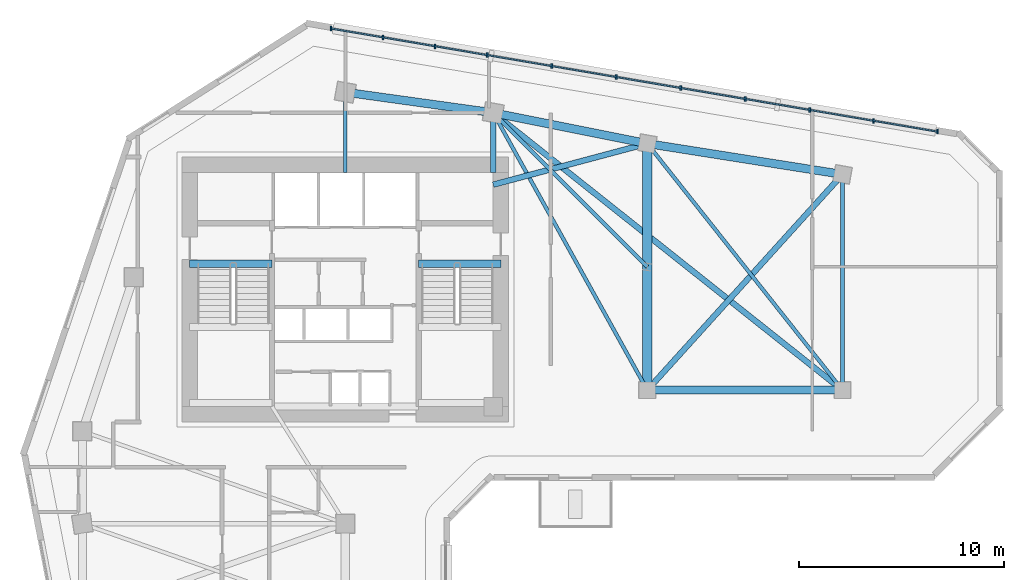
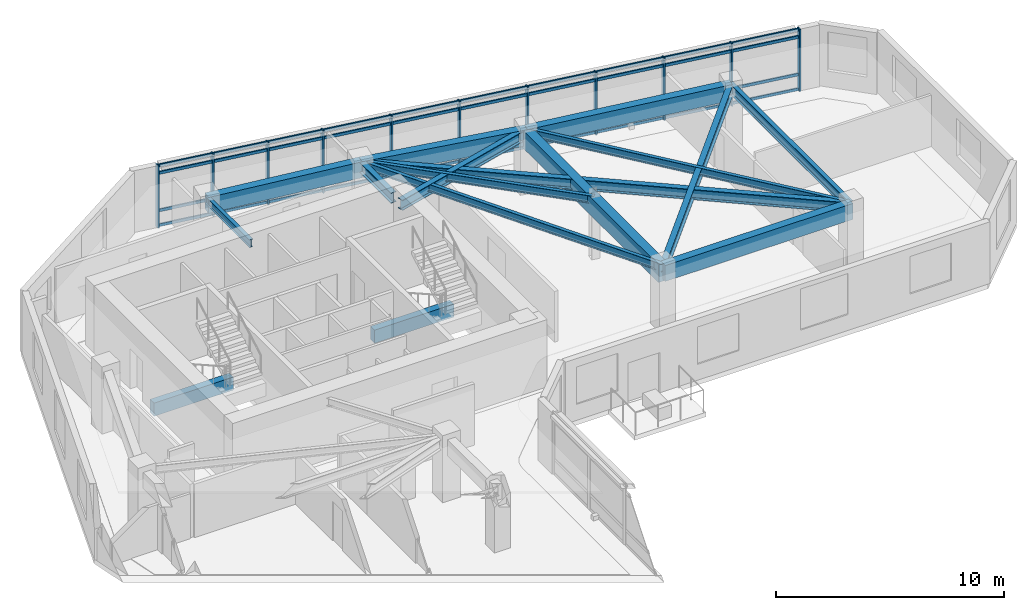
# One storey, part 3 of 12: 16 beams, 15 members, 1 element without a shape of its own.
"""IFC4 building model written with IfcOpenShell, lengths in metres."""

from ifc_helpers import new_model, si_unit, direction, frame, origin, origin_2d, place, context, subcontext, project, spatial, rectangle, i_section, extrude, source, transform, mapped, material, material_profile, profile_set, type_object, element, aggregate, save


model = new_model("IFC4")

# Units and contexts
model_context = context("Model", 3, precision=1e-05, world=origin(), true_north=direction((0.0, 1.0)))
body_context = subcontext(model_context, "Body", "Model", "MODEL_VIEW")
ifc_project = project(units=[si_unit("LENGTHUNIT", "METRE"), si_unit("AREAUNIT", "SQUARE_METRE"), si_unit("VOLUMEUNIT", "CUBIC_METRE"), si_unit("PLANEANGLEUNIT", "RADIAN"), si_unit("MASSUNIT", "GRAM", prefix="KILO")], contexts=[model_context])

# Site, building, storey
site_placement = place(None, origin())
site = spatial("IfcSite", under=ifc_project, at=site_placement, CompositionType="ELEMENT")
building_placement = place(site_placement, origin())
building = spatial("IfcBuilding", under=site, at=building_placement, Name="Calvemar Wedge Station Tower", CompositionType="ELEMENT")
storey_placement = place(building_placement, frame((0.0, 0.0, 135.800048828125)))
storey = spatial("IfcBuildingStorey", under=building, at=storey_placement, Name="L33", CompositionType="ELEMENT", Elevation=135.800048828125)

# Beams
ifc_material_1 = material(Name="Concrete C60", Category="concrete")
ifc_material_profile_1 = material_profile(ifc_material_1, rectangle(XDim=0.39990234375, YDim=0.85009765625, at=origin_2d()), Name="RC400x850")
ifc_profile_set_1 = profile_set([ifc_material_profile_1], Name="Concrete C60")
beam_type_1 = type_object("IfcBeamType", Name="BM-SP1-850", PredefinedType="SPANDREL", material=ifc_profile_set_1)
shared_shape_1 = source(origin(), body_context, "Body", "SweptSolid", [
    extrude(rectangle(XDim=0.39990234375, YDim=0.85009765625, at=origin_2d()), origin(), (0.0, 0.0, 1.0), 7.26904296875),
])
beam_1_placement = place(storey_placement, frame((23.800048828125, 49.5, 2.875), z_axis=(0.990492146053, -0.13756928657, 0.0), x_axis=(0.13756928657, 0.990492146053, 0.0)))
element("IfcBeam", 1, at=beam_1_placement, inside=storey, type_object=beam_type_1, Name="Storey L33 Spandrel T-N1-T-N2", PredefinedType="SPANDREL", context=body_context, shape_type="MappedRepresentation", body=[
    mapped(shared_shape_1, transform((0.0, 0.0, 0.0), scale=1.0)),
])
shared_shape_2 = source(origin(), body_context, "Body", "SweptSolid", [
    extrude(rectangle(XDim=0.39990234375, YDim=0.85009765625, at=origin_2d()), origin(), (0.0, 0.0, 1.0), 7.6484375),
])
beam_2_placement = place(storey_placement, frame((31.0, 48.5, 2.875), z_axis=(0.980580675691, -0.196116135138, 0.0), x_axis=(0.196116135138, 0.980580675691, 0.0)))
element("IfcBeam", 2, at=beam_2_placement, inside=storey, type_object=beam_type_1, Name="Storey L33 Spandrel T-N2-T-NU3", PredefinedType="SPANDREL", context=body_context, shape_type="MappedRepresentation", body=[
    mapped(shared_shape_2, transform((0.0, 0.0, 0.0), scale=1.0)),
])
shared_shape_3 = source(origin(), body_context, "Body", "SweptSolid", [
    extrude(rectangle(XDim=0.39990234375, YDim=0.85009765625, at=origin_2d()), origin(), (0.0, 0.0, 1.0), 9.61767578125),
])
beam_3_placement = place(storey_placement, frame((38.5, 47.0, 2.875), z_axis=(0.987762965329, -0.155962573473, 0.0), x_axis=(0.155962573473, 0.987762965329, 0.0)))
element("IfcBeam", 3, at=beam_3_placement, inside=storey, type_object=beam_type_1, Name="Storey L33 Spandrel T-NU3-T-NU4", PredefinedType="SPANDREL", context=body_context, shape_type="MappedRepresentation", body=[
    mapped(shared_shape_3, transform((0.0, 0.0, 0.0), scale=1.0)),
])
shared_shape_4 = source(origin(), body_context, "Body", "SweptSolid", [
    extrude(rectangle(XDim=0.39990234375, YDim=0.85009765625, at=origin_2d()), origin(), (0.0, 0.0, 1.0), 9.5),
])
beam_4_placement = place(storey_placement, frame((38.5, 35.0, 2.875), z_axis=(1.0, 0.0, 0.0), x_axis=(0.0, 1.0, 0.0)))
element("IfcBeam", 4, at=beam_4_placement, inside=storey, type_object=beam_type_1, Name="Storey L33 Spandrel T-NL2-T-NL3", PredefinedType="SPANDREL", context=body_context, shape_type="MappedRepresentation", body=[
    mapped(shared_shape_4, transform((0.0, 0.0, 0.0), scale=1.0)),
])
ifc_material_2 = material(Name="Structural steel ASTM A572 Grade 50", Category="steel")
ifc_material_profile_2 = material_profile(ifc_material_2, i_section(OverallWidth=0.177978515625, OverallDepth=0.406982421875, WebThickness=0.0078125, FlangeThickness=0.0126953125, FilletRadius=0.010009765625, at=origin_2d()), Name="W410x60")
ifc_profile_set_2 = profile_set([ifc_material_profile_2], Name="Structural steel ASTM A572 Grade 50")
beam_type_2 = type_object("IfcBeamType", Name="BM-J3-W410", PredefinedType="JOIST", material=ifc_profile_set_2)
shared_shape_5 = source(origin(), body_context, "Body", "SweptSolid", [
    extrude(i_section(OverallWidth=0.177978515625, OverallDepth=0.406982421875, WebThickness=0.0078125, FlangeThickness=0.0126953125, FilletRadius=0.010009765625, at=origin_2d()), origin(), (0.0, 0.0, 1.0), 15.443359375),
])
beam_5_placement = place(storey_placement, frame((31.0, 48.5, 3.096435546875), z_axis=(0.485642931179, -0.874157276122, 0.0), x_axis=(0.874157276122, 0.485642931179, 0.0)))
element("IfcBeam", 5, at=beam_5_placement, inside=storey, type_object=beam_type_2, Name="Storey L33 Floor Beam T-N2-T-NL2", PredefinedType="JOIST", context=body_context, shape_type="MappedRepresentation", body=[
    mapped(shared_shape_5, transform((0.0, 0.0, 0.0), scale=1.0)),
])
ifc_material_profile_3 = material_profile(ifc_material_2, i_section(OverallWidth=0.279052734375, OverallDepth=0.553955078125, WebThickness=0.017578125, FlangeThickness=0.029541015625, FilletRadius=0.014892578125, at=origin_2d()), Name="W530x196")
ifc_profile_set_3 = profile_set([ifc_material_profile_3], Name="Structural steel ASTM A572 Grade 50")
beam_type_3 = type_object("IfcBeamType", Name="BM-SB3-W530H", PredefinedType="BEAM", material=ifc_profile_set_3)
shared_shape_6 = source(origin(), body_context, "Body", "SweptSolid", [
    extrude(i_section(OverallWidth=0.279052734375, OverallDepth=0.553955078125, WebThickness=0.017578125, FlangeThickness=0.029541015625, FilletRadius=0.014892578125, at=origin_2d()), origin(), (0.0, 0.0, 1.0), 21.708251953125),
])
beam_6_placement = place(storey_placement, frame((31.0, 48.5, 3.02294921875), z_axis=(0.783110847498, -0.621882143602, 0.0), x_axis=(0.621882143602, 0.783110847498, 0.0)))
element("IfcBeam", 6, at=beam_6_placement, inside=storey, type_object=beam_type_3, Name="Storey L33 Floor Beam T-N2-T-NL3", PredefinedType="BEAM", context=body_context, shape_type="MappedRepresentation", body=[
    mapped(shared_shape_6, transform((0.0, 0.0, 0.0), scale=1.0)),
])
shared_shape_7 = source(origin(), body_context, "Body", "SweptSolid", [
    extrude(i_section(OverallWidth=0.177978515625, OverallDepth=0.406982421875, WebThickness=0.0078125, FlangeThickness=0.0126953125, FilletRadius=0.010009765625, at=origin_2d()), origin(), (0.0, 0.0, 1.0), 15.30517578125),
])
beam_7_placement = place(storey_placement, frame((38.5, 47.0, 3.096435546875), z_axis=(0.620702944366, -0.784045824462, 0.0), x_axis=(0.784045824462, 0.620702944366, 0.0)))
element("IfcBeam", 7, at=beam_7_placement, inside=storey, type_object=beam_type_2, Name="Storey L33 Floor Beam T-NU3-T-NL3", PredefinedType="JOIST", context=body_context, shape_type="MappedRepresentation", body=[
    mapped(shared_shape_7, transform((0.0, 0.0, 0.0), scale=1.0)),
])
shared_shape_8 = source(origin(), body_context, "Body", "SweptSolid", [
    extrude(i_section(OverallWidth=0.279052734375, OverallDepth=0.553955078125, WebThickness=0.017578125, FlangeThickness=0.029541015625, FilletRadius=0.014892578125, at=origin_2d()), origin(), (0.0, 0.0, 1.0), 14.159912109375),
])
beam_8_placement = place(storey_placement, frame((38.5, 35.0, 3.02294921875), z_axis=(0.670913323969, 0.741535779124, 0.0), x_axis=(-0.741535779124, 0.670913323969, 0.0)))
element("IfcBeam", 8, at=beam_8_placement, inside=storey, type_object=beam_type_3, Name="Storey L33 Floor Beam T-NL2-T-NU4", PredefinedType="BEAM", context=body_context, shape_type="MappedRepresentation", body=[
    mapped(shared_shape_8, transform((0.0, 0.0, 0.0), scale=1.0)),
])
shared_shape_9 = source(origin(), body_context, "Body", "SweptSolid", [
    extrude(i_section(OverallWidth=0.279052734375, OverallDepth=0.553955078125, WebThickness=0.017578125, FlangeThickness=0.029541015625, FilletRadius=0.014892578125, at=origin_2d()), origin(), (0.0, 0.0, 1.0), 7.76220703125),
])
beam_9_placement = place(storey_placement, frame((31.0, 45.0, 3.02294921875), z_axis=(0.966234939601, 0.25766265056, 0.0), x_axis=(-0.25766265056, 0.966234939601, 0.0)))
element("IfcBeam", 9, at=beam_9_placement, inside=storey, type_object=beam_type_3, Name="Storey L33 Core-to-Column Joist CJ-E2", PredefinedType="BEAM", context=body_context, shape_type="MappedRepresentation", body=[
    mapped(shared_shape_9, transform((0.0, 0.0, 0.0), scale=1.0)),
])
shared_shape_10 = source(origin(), body_context, "Body", "SweptSolid", [
    extrude(i_section(OverallWidth=0.177978515625, OverallDepth=0.406982421875, WebThickness=0.0078125, FlangeThickness=0.0126953125, FilletRadius=0.010009765625, at=origin_2d()), origin(), (0.0, 0.0, 1.0), 3.89990234375),
])
beam_10_placement = place(storey_placement, frame((23.800048828125, 45.60009765625, 3.096435546875), z_axis=(0.0, 1.0, 0.0), x_axis=(-1.0, 0.0, 0.0)))
element("IfcBeam", 10, at=beam_10_placement, inside=storey, type_object=beam_type_2, Name="Storey L33 Core-to-Column Joist CJ-N1", PredefinedType="JOIST", context=body_context, shape_type="MappedRepresentation", body=[
    mapped(shared_shape_10, transform((0.0, 0.0, 0.0), scale=1.0)),
])
shared_shape_11 = source(origin(), body_context, "Body", "SweptSolid", [
    extrude(i_section(OverallWidth=0.279052734375, OverallDepth=0.553955078125, WebThickness=0.017578125, FlangeThickness=0.029541015625, FilletRadius=0.014892578125, at=origin_2d()), origin(), (0.0, 0.0, 1.0), 2.89990234375),
])
beam_11_placement = place(storey_placement, frame((31.0, 45.60009765625, 3.02294921875), z_axis=(0.0, 1.0, 0.0), x_axis=(-1.0, 0.0, 0.0)))
element("IfcBeam", 11, at=beam_11_placement, inside=storey, type_object=beam_type_3, Name="Storey L33 Core-to-Column Joist CJ-N2", PredefinedType="BEAM", context=body_context, shape_type="MappedRepresentation", body=[
    mapped(shared_shape_11, transform((0.0, 0.0, 0.0), scale=1.0)),
])
ifc_material_3 = material(Name="Concrete C50", Category="concrete")
ifc_material_profile_4 = material_profile(ifc_material_3, rectangle(XDim=0.449951171875, YDim=0.949951171875, at=origin_2d()), Name="RC450x950")
ifc_profile_set_4 = profile_set([ifc_material_profile_4], Name="Concrete C50")
beam_type_4 = type_object("IfcBeamType", Name="BM-G2-950", PredefinedType="BEAM", material=ifc_profile_set_4)
shared_shape_12 = source(origin(), body_context, "Body", "SweptSolid", [
    extrude(rectangle(XDim=0.449951171875, YDim=0.949951171875, at=origin_2d()), origin(), (0.0, 0.0, 1.0), 12.0),
])
beam_12_placement = place(storey_placement, frame((38.5, 35.0, 2.824951171875), z_axis=(0.0, 1.0, 0.0), x_axis=(-1.0, 0.0, 0.0)))
element("IfcBeam", 12, at=beam_12_placement, inside=storey, type_object=beam_type_4, Name="Storey L33 Sub-Block Collector Girder B2", PredefinedType="BEAM", context=body_context, shape_type="MappedRepresentation", body=[
    mapped(shared_shape_12, transform((0.0, 0.0, 0.0), scale=1.0)),
])
ifc_material_4 = material(Name="Concrete C70", Category="concrete")
ifc_material_profile_5 = material_profile(ifc_material_4, rectangle(XDim=0.35009765625, YDim=0.699951171875, at=origin_2d()), Name="RC350x700")
ifc_profile_set_5 = profile_set([ifc_material_profile_5], Name="Concrete C70")
beam_type_5 = type_object("IfcBeamType", Name="BM-LN1-700", PredefinedType="LINTEL", material=ifc_profile_set_5)
shared_shape_13 = source(origin(), body_context, "Body", "SweptSolid", [
    extrude(rectangle(XDim=0.35009765625, YDim=0.699951171875, at=origin_2d()), origin(), (0.0, 0.0, 1.0), 4.0048828125),
])
for number, where, z_axis, x_axis, name in (
    (13, (16.22509765625, 41.14990234375, -0.35009765625), (1.0, 0.0, 0.0), (0.0, 1.0, 0.0), "Storey L33 Stair ST-C1 Landing Trimmer Beam"),
    (14, (27.3701171875, 41.14990234375, -0.35009765625), (1.0, 0.0, 0.0), (0.0, 1.0, 0.0), "Storey L33 Stair ST-C2 Landing Trimmer Beam"),
):
    element("IfcBeam", number, at=place(storey_placement, frame(where, z_axis=z_axis, x_axis=x_axis)), inside=storey, type_object=beam_type_5, Name=name, PredefinedType="LINTEL", context=body_context, shape_type="MappedRepresentation", body=[
        mapped(shared_shape_13, transform((0.0, 0.0, 0.0), scale=1.0)),
    ])
ifc_material_profile_6 = material_profile(ifc_material_2, i_section(OverallWidth=0.2109375, OverallDepth=0.5390625, WebThickness=0.01171875, FlangeThickness=0.018798828125, FilletRadius=0.012939453125, at=origin_2d()), Name="W530x109")
ifc_profile_set_6 = profile_set([ifc_material_profile_6], Name="Structural steel ASTM A572 Grade 50")
beam_type_6 = type_object("IfcBeamType", Name="BM-SB4-W530", PredefinedType="BEAM", material=ifc_profile_set_6)
shared_shape_14 = source(origin(), body_context, "Body", "SweptSolid", [
    extrude(i_section(OverallWidth=0.2109375, OverallDepth=0.5390625, WebThickness=0.01171875, FlangeThickness=0.018798828125, FilletRadius=0.012939453125, at=origin_2d()), origin(), (0.0, 0.0, 1.0), 10.5),
])
beam_13_placement = place(storey_placement, frame((48.0, 45.5, 3.030517578125), z_axis=(0.0, -1.0, 0.0), x_axis=(1.0, 0.0, 0.0)))
element("IfcBeam", 15, at=beam_13_placement, inside=storey, type_object=beam_type_6, Name="Storey L33 Floor Beam T-NU4-T-NL3", PredefinedType="BEAM", context=body_context, shape_type="MappedRepresentation", body=[
    mapped(shared_shape_14, transform((0.0, 0.0, 0.0), scale=1.0)),
])
shared_shape_15 = source(origin(), body_context, "Body", "SweptSolid", [
    extrude(i_section(OverallWidth=0.177978515625, OverallDepth=0.406982421875, WebThickness=0.0078125, FlangeThickness=0.0126953125, FilletRadius=0.010009765625, at=origin_2d()), origin(), (0.0, 0.0, 1.0), 10.606689453125),
])
beam_14_placement = place(storey_placement, frame((38.5, 41.0, 3.096435546875), z_axis=(-0.707106781187, 0.707106781187, 0.0), x_axis=(-0.707106781187, -0.707106781187, 0.0)))
element("IfcBeam", 16, at=beam_14_placement, inside=storey, type_object=beam_type_2, Name="Storey L33 Floor Beam T-NTIP-B-T-N2", PredefinedType="JOIST", context=body_context, shape_type="MappedRepresentation", body=[
    mapped(shared_shape_15, transform((0.0, 0.0, 0.0), scale=1.0)),
])

# Curtain wall, members
ifc_material_5 = material(Name="Anodised aluminium 6063-T6", Category="aluminium")
curtain_wall_type = type_object("IfcCurtainWallType", Name="CW2", PredefinedType="NOTDEFINED", material=ifc_material_5)
curtain_wall_placement = place(storey_placement, origin())
curtain_wall = element("IfcCurtainWall", 17, at=curtain_wall_placement, inside=storey, type_object=curtain_wall_type, Name="Storey L33 CW2 Recessed Unitised Curtain Wall 10", PredefinedType="NOTDEFINED")
ifc_material_profile_7 = material_profile(ifc_material_5, rectangle(XDim=0.074951171875, YDim=0.14990234375, at=origin_2d()), Name="AL-TRN-75x150")
ifc_profile_set_7 = profile_set([ifc_material_profile_7], Name="Anodised aluminium 6063-T6")
member_type_1 = type_object("IfcMemberType", Name="CW2-TRN", PredefinedType="USERDEFINED", material=ifc_profile_set_7)
shared_shape_16 = source(origin(), body_context, "Body", "SweptSolid", [
    extrude(rectangle(XDim=0.074951171875, YDim=0.14990234375, at=origin_2d()), origin(), (0.0, 0.0, 1.0), 29.950927734375),
])
member_1_placement = place(storey_placement, frame((52.63330078125, 47.577392578125, 0.06005859375), z_axis=(-0.985845487877, 0.167656416615, 0.0), x_axis=(-0.167656416615, -0.985845487877, 0.0)))
member_1 = element("IfcMember", 18, at=member_1_placement, type_object=member_type_1, Name="CW2 transom 1", ObjectType="TRANSOM", PredefinedType="USERDEFINED", context=body_context, shape_type="MappedRepresentation", body=[
    mapped(shared_shape_16, transform((0.0, 0.0, 0.0), scale=1.0)),
])
member_2_placement = place(storey_placement, frame((52.63330078125, 47.577392578125, 0.849853515625), z_axis=(-0.985845487877, 0.167656416615, 0.0), x_axis=(-0.167656416615, -0.985845487877, 0.0)))
member_2 = element("IfcMember", 19, at=member_2_placement, type_object=member_type_1, Name="CW2 transom 2", ObjectType="TRANSOM", PredefinedType="USERDEFINED", context=body_context, shape_type="MappedRepresentation", body=[
    mapped(shared_shape_16, transform((0.0, 0.0, 0.0), scale=1.0)),
])
member_3_placement = place(storey_placement, frame((52.63330078125, 47.577392578125, 2.849853515625), z_axis=(-0.985845487877, 0.167656416615, 0.0), x_axis=(-0.167656416615, -0.985845487877, 0.0)))
member_3 = element("IfcMember", 20, at=member_3_placement, type_object=member_type_1, Name="CW2 transom 3", ObjectType="TRANSOM", PredefinedType="USERDEFINED", context=body_context, shape_type="MappedRepresentation", body=[
    mapped(shared_shape_16, transform((0.0, 0.0, 0.0), scale=1.0)),
])
member_4_placement = place(storey_placement, frame((52.63330078125, 47.577392578125, 3.239990234375), z_axis=(-0.985845487877, 0.167656416615, 0.0), x_axis=(-0.167656416615, -0.985845487877, 0.0)))
member_4 = element("IfcMember", 21, at=member_4_placement, type_object=member_type_1, Name="CW2 transom 4", ObjectType="TRANSOM", PredefinedType="USERDEFINED", context=body_context, shape_type="MappedRepresentation", body=[
    mapped(shared_shape_16, transform((0.0, 0.0, 0.0), scale=1.0)),
])
ifc_material_profile_8 = material_profile(ifc_material_5, rectangle(XDim=0.074951171875, YDim=0.219970703125, at=origin_2d()), Name="AL-MUL-75x220")
ifc_profile_set_8 = profile_set([ifc_material_profile_8], Name="Anodised aluminium 6063-T6")
member_type_2 = type_object("IfcMemberType", Name="CW2-MUL", PredefinedType="MULLION", material=ifc_profile_set_8)
shared_shape_17 = source(origin(), body_context, "Body", "SweptSolid", [
    extrude(rectangle(XDim=0.074951171875, YDim=0.219970703125, at=origin_2d()), origin(), (0.0, 0.0, 1.0), 3.35009765625),
])
member_5_placement = place(storey_placement, frame((52.63330078125, 47.577392578125, -0.050048828125), z_axis=(0.0, 0.0, 1.0), x_axis=(1.0, 0.0, 0.0)))
member_5 = element("IfcMember", 22, at=member_5_placement, type_object=member_type_2, Name="CW2 mullion 1", PredefinedType="MULLION", context=body_context, shape_type="MappedRepresentation", body=[
    mapped(shared_shape_17, transform((0.0, 0.0, 0.0), scale=1.0)),
])
member_6_placement = place(storey_placement, frame((49.519775390625, 48.10693359375, -0.050048828125), z_axis=(0.0, 0.0, 1.0), x_axis=(1.0, 0.0, 0.0)))
member_6 = element("IfcMember", 23, at=member_6_placement, type_object=member_type_2, Name="CW2 mullion 2", PredefinedType="MULLION", context=body_context, shape_type="MappedRepresentation", body=[
    mapped(shared_shape_17, transform((0.0, 0.0, 0.0), scale=1.0)),
])
member_7_placement = place(storey_placement, frame((46.40625, 48.636474609375, -0.050048828125), z_axis=(0.0, 0.0, 1.0), x_axis=(1.0, 0.0, 0.0)))
member_7 = element("IfcMember", 24, at=member_7_placement, type_object=member_type_2, Name="CW2 mullion 3", PredefinedType="MULLION", context=body_context, shape_type="MappedRepresentation", body=[
    mapped(shared_shape_17, transform((0.0, 0.0, 0.0), scale=1.0)),
])
member_8_placement = place(storey_placement, frame((43.2666015625, 49.17041015625, -0.050048828125), z_axis=(0.0, 0.0, 1.0), x_axis=(1.0, 0.0, 0.0)))
member_8 = element("IfcMember", 25, at=member_8_placement, type_object=member_type_2, Name="CW2 mullion 4", PredefinedType="MULLION", context=body_context, shape_type="MappedRepresentation", body=[
    mapped(shared_shape_17, transform((0.0, 0.0, 0.0), scale=1.0)),
])
member_9_placement = place(storey_placement, frame((40.126953125, 49.704345703125, -0.050048828125), z_axis=(0.0, 0.0, 1.0), x_axis=(1.0, 0.0, 0.0)))
member_9 = element("IfcMember", 26, at=member_9_placement, type_object=member_type_2, Name="CW2 mullion 5", PredefinedType="MULLION", context=body_context, shape_type="MappedRepresentation", body=[
    mapped(shared_shape_17, transform((0.0, 0.0, 0.0), scale=1.0)),
])
member_10_placement = place(storey_placement, frame((36.9873046875, 50.23828125, -0.050048828125), z_axis=(0.0, 0.0, 1.0), x_axis=(1.0, 0.0, 0.0)))
member_10 = element("IfcMember", 27, at=member_10_placement, type_object=member_type_2, Name="CW2 mullion 6", PredefinedType="MULLION", context=body_context, shape_type="MappedRepresentation", body=[
    mapped(shared_shape_17, transform((0.0, 0.0, 0.0), scale=1.0)),
])
member_11_placement = place(storey_placement, frame((33.84765625, 50.772216796875, -0.050048828125), z_axis=(0.0, 0.0, 1.0), x_axis=(1.0, 0.0, 0.0)))
member_11 = element("IfcMember", 28, at=member_11_placement, type_object=member_type_2, Name="CW2 mullion 7", PredefinedType="MULLION", context=body_context, shape_type="MappedRepresentation", body=[
    mapped(shared_shape_17, transform((0.0, 0.0, 0.0), scale=1.0)),
])
member_12_placement = place(storey_placement, frame((30.7080078125, 51.30615234375, -0.050048828125), z_axis=(0.0, 0.0, 1.0), x_axis=(1.0, 0.0, 0.0)))
member_12 = element("IfcMember", 29, at=member_12_placement, type_object=member_type_2, Name="CW2 mullion 8", PredefinedType="MULLION", context=body_context, shape_type="MappedRepresentation", body=[
    mapped(shared_shape_17, transform((0.0, 0.0, 0.0), scale=1.0)),
])
member_13_placement = place(storey_placement, frame((28.17431640625, 51.737060546875, -0.050048828125), z_axis=(0.0, 0.0, 1.0), x_axis=(1.0, 0.0, 0.0)))
member_13 = element("IfcMember", 30, at=member_13_placement, type_object=member_type_2, Name="CW2 mullion 9", PredefinedType="MULLION", context=body_context, shape_type="MappedRepresentation", body=[
    mapped(shared_shape_17, transform((0.0, 0.0, 0.0), scale=1.0)),
])
member_14_placement = place(storey_placement, frame((25.64013671875, 52.16796875, -0.050048828125), z_axis=(0.0, 0.0, 1.0), x_axis=(1.0, 0.0, 0.0)))
member_14 = element("IfcMember", 31, at=member_14_placement, type_object=member_type_2, Name="CW2 mullion 10", PredefinedType="MULLION", context=body_context, shape_type="MappedRepresentation", body=[
    mapped(shared_shape_17, transform((0.0, 0.0, 0.0), scale=1.0)),
])
member_15_placement = place(storey_placement, frame((23.106201171875, 52.598876953125, -0.050048828125), z_axis=(0.0, 0.0, 1.0), x_axis=(1.0, 0.0, 0.0)))
member_15 = element("IfcMember", 32, at=member_15_placement, type_object=member_type_2, Name="CW2 mullion 11", PredefinedType="MULLION", context=body_context, shape_type="MappedRepresentation", body=[
    mapped(shared_shape_17, transform((0.0, 0.0, 0.0), scale=1.0)),
])
aggregate(curtain_wall, [member_5, member_6, member_7, member_8, member_9, member_10, member_11, member_12, member_13, member_14, member_15, member_1, member_2, member_3, member_4])

save(model, "model.ifc")
